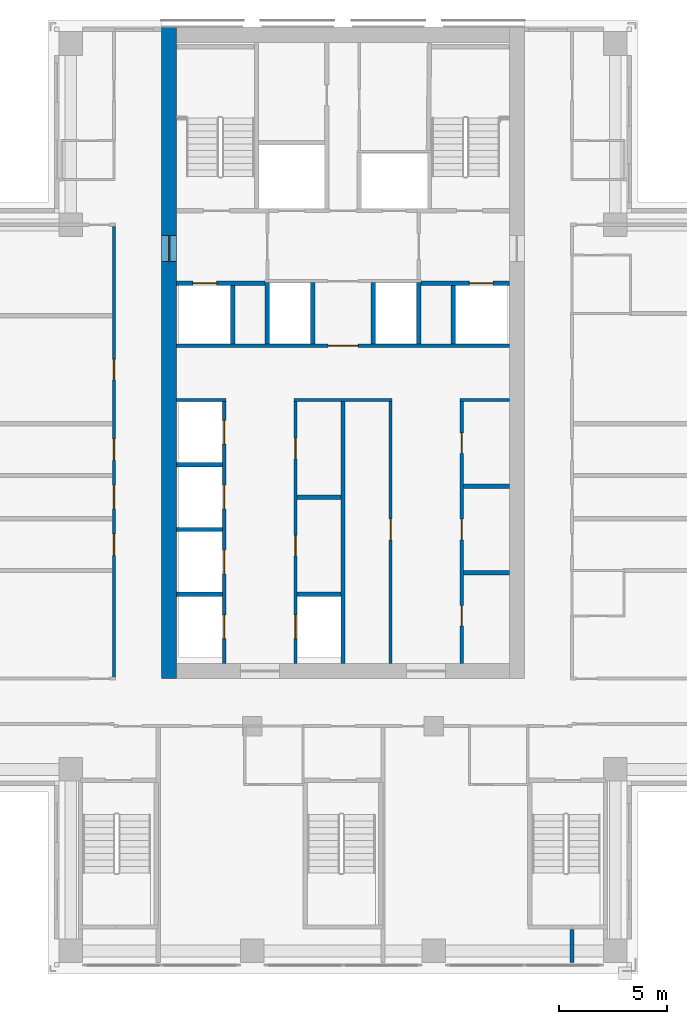
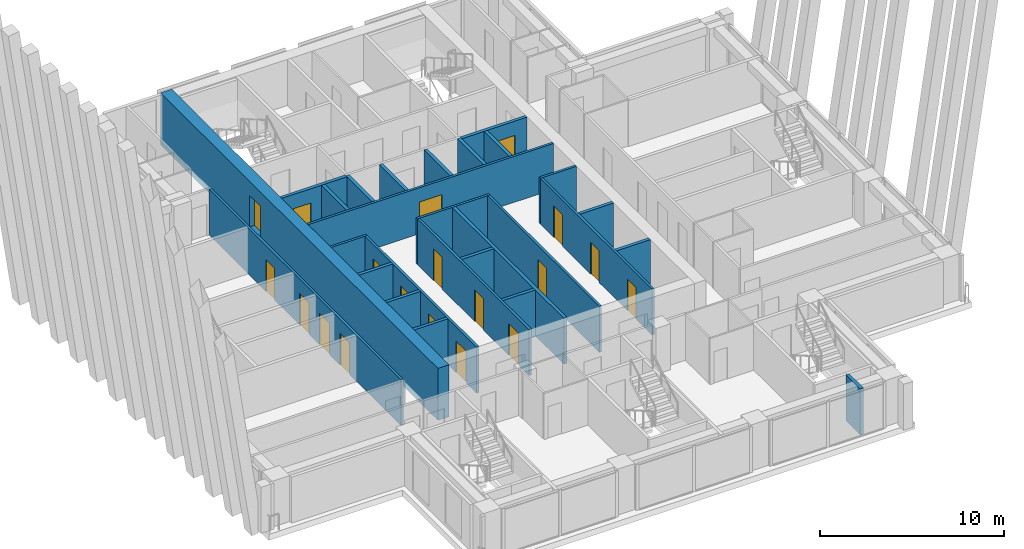
# One storey, part 9 of 15: 27 walls, 19 doors, 19 openings.
"""IFC4 building model written with IfcOpenShell, lengths in metres."""

from ifc_helpers import new_model, si_unit, direction, frame, frame_2d, origin, place, context, subcontext, project, spatial, rectangle, extrude, material, layer, layer_set, type_object, element, fill, save


model = new_model("IFC4")

# Units and contexts
model_context = context("Model", 3, precision=1e-05, world=origin(), true_north=direction((0.0, 1.0)))
body_context = subcontext(model_context, "Body", "Model", "MODEL_VIEW")
ifc_project = project(units=[si_unit("LENGTHUNIT", "METRE"), si_unit("AREAUNIT", "SQUARE_METRE"), si_unit("VOLUMEUNIT", "CUBIC_METRE"), si_unit("PLANEANGLEUNIT", "RADIAN"), si_unit("MASSUNIT", "GRAM", prefix="KILO")], contexts=[model_context])

# Site, building, storey
site_placement = place(None, origin())
site = spatial("IfcSite", under=ifc_project, at=site_placement, CompositionType="ELEMENT")
building_placement = place(site_placement, origin())
building = spatial("IfcBuilding", under=site, at=building_placement, Name="Vermilion Ogive Tower", CompositionType="ELEMENT")
storey_placement = place(building_placement, frame((0.0, 0.0, 153.800048828125)))
storey = spatial("IfcBuildingStorey", under=building, at=storey_placement, Name="L39", CompositionType="ELEMENT", Elevation=153.800048828125)

# Wall, openings, doors
ifc_material_1 = material(Name="Gypsum board partition on steel studs", Category="steel")
ifc_layer_1 = layer(ifc_material_1, 0.14990234375)
ifc_layer_set_1 = layer_set([ifc_layer_1], Name="Partition 150 corridor")
wall_type_1 = type_object("IfcWallType", Name="Partition 150 corridor", PredefinedType="PARTITIONING", material=ifc_layer_set_1)
wall_1_placement = place(storey_placement, frame((-10.60009765625, -8.324951171875, 0.0), z_axis=(0.0, 0.0, 1.0), x_axis=(0.0, 1.0, 0.0)))
wall_1 = element("IfcWall", 1, at=wall_1_placement, inside=storey, type_object=wall_type_1, Name="L39-W-W043", PredefinedType="PARTITIONING", context=body_context, shape_type="SweptSolid", body=[
    extrude(rectangle(XDim=20.849853515625, YDim=0.14990234375, at=frame_2d((10.4248046875, 0.0))), origin(), (0.0, 0.0, 1.0), 3.050048828125),
])
opening_1_placement = place(wall_1_placement, frame((13.744873046875, 0.0, 0.0)))
opening_1 = element("IfcOpeningElement", 2, at=opening_1_placement, cuts=wall_1, Name="Opening D3G3003", PredefinedType="OPENING", context=body_context, shape_type="SweptSolid", body=[
    extrude(rectangle(XDim=0.949951171875, YDim=2.10009765625, at=frame_2d((0.47509765625, 1.050048828125))), frame((0.0, 0.0849609375, 0.0), z_axis=(0.0, -1.0, 0.0), x_axis=(1.0, 0.0, 0.0)), (0.0, 0.0, 1.0), 0.169921875),
])
opening_2_placement = place(wall_1_placement, frame((7.77490234375, 0.0, 0.0)))
opening_2 = element("IfcOpeningElement", 3, at=opening_2_placement, cuts=wall_1, Name="Opening D3G3027", PredefinedType="OPENING", context=body_context, shape_type="SweptSolid", body=[
    extrude(rectangle(XDim=1.10009765625, YDim=2.10009765625, at=frame_2d((0.550048828125, 1.050048828125))), frame((0.0, 0.0849609375, 0.0), z_axis=(0.0, -1.0, 0.0), x_axis=(1.0, 0.0, 0.0)), (0.0, 0.0, 1.0), 0.169921875),
])
opening_3_placement = place(wall_1_placement, frame((5.625, 0.0, 0.0)))
opening_3 = element("IfcOpeningElement", 4, at=opening_3_placement, cuts=wall_1, Name="Opening D3G3029", PredefinedType="OPENING", context=body_context, shape_type="SweptSolid", body=[
    extrude(rectangle(XDim=1.0, YDim=2.10009765625, at=frame_2d((0.5, 1.050048828125))), frame((0.0, 0.0849609375, 0.0), z_axis=(0.0, -1.0, 0.0), x_axis=(1.0, 0.0, 0.0)), (0.0, 0.0, 1.0), 0.169921875),
])
opening_4_placement = place(wall_1_placement, frame((10.02490234375, 0.0, 0.0)))
opening_4 = element("IfcOpeningElement", 5, at=opening_4_placement, cuts=wall_1, Name="Opening D3G3031", PredefinedType="OPENING", context=body_context, shape_type="SweptSolid", body=[
    extrude(rectangle(XDim=1.0, YDim=2.10009765625, at=frame_2d((0.5, 1.050048828125))), frame((0.0, 0.0849609375, 0.0), z_axis=(0.0, -1.0, 0.0), x_axis=(1.0, 0.0, 0.0)), (0.0, 0.0, 1.0), 0.169921875),
])
ifc_material_2 = material(Name="Timber door leaf", Category="wood")
door_type_1 = type_object("IfcDoorType", Name="Stair door 1100 x 2100 FD60S", OperationType="SINGLE_SWING_LEFT", PredefinedType="DOOR", material=ifc_material_2)
door_1_placement = place(opening_2_placement, origin())
door_1 = element("IfcDoor", 6, at=door_1_placement, inside=storey, type_object=door_type_1, Name="L39-D-D027", OperationType="SINGLE_SWING_LEFT", OverallHeight=2.10009765625, OverallWidth=1.10009765625, PredefinedType="DOOR", context=body_context, shape_type="SweptSolid", body=[
    extrude(rectangle(XDim=1.10009765625, YDim=2.10009765625, at=frame_2d((0.550048828125, 1.050048828125))), frame((0.0, 0.02490234375, 0.0), z_axis=(0.0, -1.0, 0.0), x_axis=(1.0, 0.0, 0.0)), (0.0, 0.0, 1.0), 0.050048828125),
])
fill(opening_2, door_1)
ifc_material_3 = material(Name="Timber door leaf", Category="wood")
door_type_2 = type_object("IfcDoorType", Name="Unit door 1000 x 2100 FD30S", OperationType="SINGLE_SWING_LEFT", PredefinedType="DOOR", material=ifc_material_3)
door_2_placement = place(opening_3_placement, origin())
door_2 = element("IfcDoor", 7, at=door_2_placement, inside=storey, type_object=door_type_2, Name="L39-D-D029", OperationType="SINGLE_SWING_RIGHT", OverallHeight=2.10009765625, OverallWidth=1.0, PredefinedType="DOOR", context=body_context, shape_type="SweptSolid", body=[
    extrude(rectangle(XDim=1.0, YDim=2.10009765625, at=frame_2d((0.5, 1.050048828125))), frame((0.0, 0.02490234375, 0.0), z_axis=(0.0, -1.0, 0.0), x_axis=(1.0, 0.0, 0.0)), (0.0, 0.0, 1.0), 0.050048828125),
])
fill(opening_3, door_2)
door_3_placement = place(opening_4_placement, origin())
door_3 = element("IfcDoor", 8, at=door_3_placement, inside=storey, type_object=door_type_2, Name="L39-D-D031", OperationType="SINGLE_SWING_LEFT", OverallHeight=2.10009765625, OverallWidth=1.0, PredefinedType="DOOR", context=body_context, shape_type="SweptSolid", body=[
    extrude(rectangle(XDim=1.0, YDim=2.10009765625, at=frame_2d((0.5, 1.050048828125))), frame((0.0, 0.02490234375, 0.0), z_axis=(0.0, -1.0, 0.0), x_axis=(1.0, 0.0, 0.0)), (0.0, 0.0, 1.0), 0.050048828125),
])
fill(opening_4, door_3)
ifc_material_4 = material(Name="Timber door leaf", Category="wood")
door_type_3 = type_object("IfcDoorType", Name="Unit door 950 x 2100 FD30S", OperationType="SINGLE_SWING_LEFT", PredefinedType="DOOR", material=ifc_material_4)
door_4_placement = place(opening_1_placement, origin())
door_4 = element("IfcDoor", 9, at=door_4_placement, inside=storey, type_object=door_type_3, Name="L39-D-D003", OperationType="SINGLE_SWING_LEFT", OverallHeight=2.10009765625, OverallWidth=0.949951171875, PredefinedType="DOOR", context=body_context, shape_type="SweptSolid", body=[
    extrude(rectangle(XDim=0.949951171875, YDim=2.10009765625, at=frame_2d((0.47509765625, 1.050048828125))), frame((0.0, 0.02490234375, 0.0), z_axis=(0.0, -1.0, 0.0), x_axis=(1.0, 0.0, 0.0)), (0.0, 0.0, 1.0), 0.050048828125),
])
fill(opening_1, door_4)

# Walls
wall_2_placement = place(storey_placement, frame((-7.698974609375, 4.5, 0.0), z_axis=(0.0, 0.0, 1.0), x_axis=(1.0, 0.0, 0.0)))
element("IfcWall", 10, at=wall_2_placement, inside=storey, type_object=wall_type_1, Name="L39-CK-W-W008", PredefinedType="PARTITIONING", context=body_context, shape_type="SweptSolid", body=[
    extrude(rectangle(XDim=2.27392578125, YDim=0.14990234375, at=frame_2d((1.136962890625, 0.0))), origin(), (0.0, 0.0, 1.0), 3.050048828125),
])
wall_3_placement = place(storey_placement, frame((-2.27490234375, 4.5, 0.0), z_axis=(0.0, 0.0, 1.0), x_axis=(1.0, 0.0, 0.0)))
element("IfcWall", 11, at=wall_3_placement, inside=storey, type_object=wall_type_1, Name="L39-CK-W-W009", PredefinedType="PARTITIONING", context=body_context, shape_type="SweptSolid", body=[
    extrude(rectangle(XDim=4.5498046875, YDim=0.14990234375, at=frame_2d((2.27490234375, 0.0))), origin(), (0.0, 0.0, 1.0), 3.050048828125),
])
wall_4_placement = place(storey_placement, frame((5.425048828125, 4.5, 0.0), z_axis=(0.0, 0.0, 1.0), x_axis=(1.0, 0.0, 0.0)))
element("IfcWall", 12, at=wall_4_placement, inside=storey, type_object=wall_type_1, Name="L39-CK-W-W010", PredefinedType="PARTITIONING", context=body_context, shape_type="SweptSolid", body=[
    extrude(rectangle(XDim=2.27392578125, YDim=0.14990234375, at=frame_2d((1.136962890625, 0.0))), origin(), (0.0, 0.0, 1.0), 3.050048828125),
])

# Wall, opening, door
wall_5_placement = place(storey_placement, frame((-7.698974609375, 7.0, 0.0), z_axis=(0.0, 0.0, 1.0), x_axis=(1.0, 0.0, 0.0)))
wall_5 = element("IfcWall", 13, at=wall_5_placement, inside=storey, type_object=wall_type_1, Name="L39-CK-W-W011", PredefinedType="PARTITIONING", context=body_context, shape_type="SweptSolid", body=[
    extrude(rectangle(XDim=15.39794921875, YDim=0.14990234375, at=frame_2d((7.698974609375, 0.0))), origin(), (0.0, 0.0, 1.0), 3.050048828125),
])
opening_5_placement = place(wall_5_placement, frame((6.9990234375, 0.0, 0.0)))
opening_5 = element("IfcOpeningElement", 14, at=opening_5_placement, cuts=wall_5, Name="Opening DAA325", PredefinedType="OPENING", context=body_context, shape_type="SweptSolid", body=[
    extrude(rectangle(XDim=1.39990234375, YDim=2.10009765625, at=frame_2d((0.699951171875, 1.050048828125))), frame((0.0, 0.0849609375, 0.0), z_axis=(0.0, -1.0, 0.0), x_axis=(1.0, 0.0, 0.0)), (0.0, 0.0, 1.0), 0.169921875),
])
ifc_material_5 = material(Name="Timber door leaf", Category="wood")
door_type_4 = type_object("IfcDoorType", Name="Lobby door 1400 x 2100 FD60S", OperationType="SINGLE_SWING_LEFT", PredefinedType="DOOR", material=ifc_material_5)
door_5_placement = place(opening_5_placement, origin())
door_5 = element("IfcDoor", 15, at=door_5_placement, inside=storey, type_object=door_type_4, Name="L39-CK-D-D016", OperationType="SINGLE_SWING_RIGHT", OverallHeight=2.10009765625, OverallWidth=1.39990234375, PredefinedType="DOOR", context=body_context, shape_type="SweptSolid", body=[
    extrude(rectangle(XDim=1.39990234375, YDim=2.10009765625, at=frame_2d((0.699951171875, 1.050048828125))), frame((0.0, 0.02490234375, 0.0), z_axis=(0.0, -1.0, 0.0), x_axis=(1.0, 0.0, 0.0)), (0.0, 0.0, 1.0), 0.050048828125),
])
fill(opening_5, door_5)

# Wall, openings, doors
wall_6_placement = place(storey_placement, frame((-5.5, -7.698974609375, 0.0), z_axis=(0.0, 0.0, 1.0), x_axis=(0.0, 1.0, 0.0)))
wall_6 = element("IfcWall", 16, at=wall_6_placement, inside=storey, type_object=wall_type_1, Name="L39-CK-W-W020", PredefinedType="PARTITIONING", context=body_context, shape_type="SweptSolid", body=[
    extrude(rectangle(XDim=12.1240234375, YDim=0.14990234375, at=frame_2d((6.06201171875, 0.0))), origin(), (0.0, 0.0, 1.0), 3.050048828125),
])
opening_6_placement = place(wall_6_placement, frame((1.14892578125, 0.0, 0.0)))
opening_6 = element("IfcOpeningElement", 17, at=opening_6_placement, cuts=wall_6, Name="Opening DAA338", PredefinedType="OPENING", context=body_context, shape_type="SweptSolid", body=[
    extrude(rectangle(XDim=1.10009765625, YDim=2.10009765625, at=frame_2d((0.550048828125, 1.050048828125))), frame((0.0, 0.0849609375, 0.0), z_axis=(0.0, -1.0, 0.0), x_axis=(1.0, 0.0, 0.0)), (0.0, 0.0, 1.0), 0.169921875),
])
opening_7_placement = place(wall_6_placement, frame((4.14892578125, 0.0, 0.0)))
opening_7 = element("IfcOpeningElement", 18, at=opening_7_placement, cuts=wall_6, Name="Opening DAA339", PredefinedType="OPENING", context=body_context, shape_type="SweptSolid", body=[
    extrude(rectangle(XDim=1.10009765625, YDim=2.10009765625, at=frame_2d((0.550048828125, 1.050048828125))), frame((0.0, 0.0849609375, 0.0), z_axis=(0.0, -1.0, 0.0), x_axis=(1.0, 0.0, 0.0)), (0.0, 0.0, 1.0), 0.169921875),
])
opening_8_placement = place(wall_6_placement, frame((7.14892578125, 0.0, 0.0)))
opening_8 = element("IfcOpeningElement", 19, at=opening_8_placement, cuts=wall_6, Name="Opening DAA340", PredefinedType="OPENING", context=body_context, shape_type="SweptSolid", body=[
    extrude(rectangle(XDim=1.10009765625, YDim=2.10009765625, at=frame_2d((0.550048828125, 1.050048828125))), frame((0.0, 0.0849609375, 0.0), z_axis=(0.0, -1.0, 0.0), x_axis=(1.0, 0.0, 0.0)), (0.0, 0.0, 1.0), 0.169921875),
])
opening_9_placement = place(wall_6_placement, frame((10.14892578125, 0.0, 0.0)))
opening_9 = element("IfcOpeningElement", 20, at=opening_9_placement, cuts=wall_6, Name="Opening DAA341", PredefinedType="OPENING", context=body_context, shape_type="SweptSolid", body=[
    extrude(rectangle(XDim=1.10009765625, YDim=2.10009765625, at=frame_2d((0.550048828125, 1.050048828125))), frame((0.0, 0.0849609375, 0.0), z_axis=(0.0, -1.0, 0.0), x_axis=(1.0, 0.0, 0.0)), (0.0, 0.0, 1.0), 0.169921875),
])
ifc_material_6 = material(Name="Stainless steel", Category="steel")
door_type_5 = type_object("IfcDoorType", Name="Lift landing door 1100 x 2100", OperationType="SLIDING_TO_LEFT", PredefinedType="DOOR", material=ifc_material_6)
door_6_placement = place(opening_6_placement, origin())
door_6 = element("IfcDoor", 21, at=door_6_placement, inside=storey, type_object=door_type_5, Name="L39-CK-D-D001", OperationType="SLIDING_TO_LEFT", OverallHeight=2.10009765625, OverallWidth=1.10009765625, PredefinedType="DOOR", context=body_context, shape_type="SweptSolid", body=[
    extrude(rectangle(XDim=1.10009765625, YDim=2.10009765625, at=frame_2d((0.550048828125, 1.050048828125))), frame((0.0, 0.02490234375, 0.0), z_axis=(0.0, -1.0, 0.0), x_axis=(1.0, 0.0, 0.0)), (0.0, 0.0, 1.0), 0.050048828125),
])
fill(opening_6, door_6)
door_7_placement = place(opening_7_placement, origin())
door_7 = element("IfcDoor", 22, at=door_7_placement, inside=storey, type_object=door_type_5, Name="L39-CK-D-D002", OperationType="SLIDING_TO_LEFT", OverallHeight=2.10009765625, OverallWidth=1.10009765625, PredefinedType="DOOR", context=body_context, shape_type="SweptSolid", body=[
    extrude(rectangle(XDim=1.10009765625, YDim=2.10009765625, at=frame_2d((0.550048828125, 1.050048828125))), frame((0.0, 0.02490234375, 0.0), z_axis=(0.0, -1.0, 0.0), x_axis=(1.0, 0.0, 0.0)), (0.0, 0.0, 1.0), 0.050048828125),
])
fill(opening_7, door_7)
door_8_placement = place(opening_8_placement, origin())
door_8 = element("IfcDoor", 23, at=door_8_placement, inside=storey, type_object=door_type_5, Name="L39-CK-D-D003", OperationType="SLIDING_TO_LEFT", OverallHeight=2.10009765625, OverallWidth=1.10009765625, PredefinedType="DOOR", context=body_context, shape_type="SweptSolid", body=[
    extrude(rectangle(XDim=1.10009765625, YDim=2.10009765625, at=frame_2d((0.550048828125, 1.050048828125))), frame((0.0, 0.02490234375, 0.0), z_axis=(0.0, -1.0, 0.0), x_axis=(1.0, 0.0, 0.0)), (0.0, 0.0, 1.0), 0.050048828125),
])
fill(opening_8, door_8)
door_9_placement = place(opening_9_placement, origin())
door_9 = element("IfcDoor", 24, at=door_9_placement, inside=storey, type_object=door_type_5, Name="L39-CK-D-D004", OperationType="SLIDING_TO_LEFT", OverallHeight=2.10009765625, OverallWidth=1.10009765625, PredefinedType="DOOR", context=body_context, shape_type="SweptSolid", body=[
    extrude(rectangle(XDim=1.10009765625, YDim=2.10009765625, at=frame_2d((0.550048828125, 1.050048828125))), frame((0.0, 0.02490234375, 0.0), z_axis=(0.0, -1.0, 0.0), x_axis=(1.0, 0.0, 0.0)), (0.0, 0.0, 1.0), 0.050048828125),
])
fill(opening_9, door_9)

wall_7_placement = place(storey_placement, frame((-2.199951171875, -7.698974609375, 0.0), z_axis=(0.0, 0.0, 1.0), x_axis=(0.0, 1.0, 0.0)))
wall_7 = element("IfcWall", 25, at=wall_7_placement, inside=storey, type_object=wall_type_1, Name="L39-CK-W-W025", PredefinedType="PARTITIONING", context=body_context, shape_type="SweptSolid", body=[
    extrude(rectangle(XDim=12.1240234375, YDim=0.14990234375, at=frame_2d((6.06201171875, 0.0))), origin(), (0.0, 0.0, 1.0), 3.050048828125),
])
opening_10_placement = place(wall_7_placement, frame((1.14892578125, 0.0, 0.0)))
opening_10 = element("IfcOpeningElement", 26, at=opening_10_placement, cuts=wall_7, Name="Opening DAA342", PredefinedType="OPENING", context=body_context, shape_type="SweptSolid", body=[
    extrude(rectangle(XDim=1.10009765625, YDim=2.10009765625, at=frame_2d((0.550048828125, 1.050048828125))), frame((0.0, 0.0849609375, 0.0), z_axis=(0.0, -1.0, 0.0), x_axis=(1.0, 0.0, 0.0)), (0.0, 0.0, 1.0), 0.169921875),
])
opening_11_placement = place(wall_7_placement, frame((4.973876953125, 0.0, 0.0)))
opening_11 = element("IfcOpeningElement", 27, at=opening_11_placement, cuts=wall_7, Name="Opening DAA328", PredefinedType="OPENING", context=body_context, shape_type="SweptSolid", body=[
    extrude(rectangle(XDim=0.949951171875, YDim=2.10009765625, at=frame_2d((0.47509765625, 1.050048828125))), frame((0.0, 0.0849609375, 0.0), z_axis=(0.0, -1.0, 0.0), x_axis=(1.0, 0.0, 0.0)), (0.0, 0.0, 1.0), 0.169921875),
])
opening_12_placement = place(wall_7_placement, frame((9.473876953125, 0.0, 0.0)))
opening_12 = element("IfcOpeningElement", 28, at=opening_12_placement, cuts=wall_7, Name="Opening DAA329", PredefinedType="OPENING", context=body_context, shape_type="SweptSolid", body=[
    extrude(rectangle(XDim=0.949951171875, YDim=2.10009765625, at=frame_2d((0.47509765625, 1.050048828125))), frame((0.0, 0.0849609375, 0.0), z_axis=(0.0, -1.0, 0.0), x_axis=(1.0, 0.0, 0.0)), (0.0, 0.0, 1.0), 0.169921875),
])
door_10_placement = place(opening_10_placement, origin())
door_10 = element("IfcDoor", 29, at=door_10_placement, inside=storey, type_object=door_type_5, Name="L39-CK-D-D005", OperationType="SLIDING_TO_LEFT", OverallHeight=2.10009765625, OverallWidth=1.10009765625, PredefinedType="DOOR", context=body_context, shape_type="SweptSolid", body=[
    extrude(rectangle(XDim=1.10009765625, YDim=2.10009765625, at=frame_2d((0.550048828125, 1.050048828125))), frame((0.0, 0.02490234375, 0.0), z_axis=(0.0, -1.0, 0.0), x_axis=(1.0, 0.0, 0.0)), (0.0, 0.0, 1.0), 0.050048828125),
])
fill(opening_10, door_10)
ifc_material_7 = material(Name="Timber door leaf", Category="wood")
door_type_6 = type_object("IfcDoorType", Name="Service door 950 x 2100 FD60", OperationType="SINGLE_SWING_LEFT", PredefinedType="DOOR", material=ifc_material_7)
door_11_placement = place(opening_11_placement, origin())
door_11 = element("IfcDoor", 30, at=door_11_placement, inside=storey, type_object=door_type_6, Name="L39-CK-D-D006", OperationType="SINGLE_SWING_LEFT", OverallHeight=2.10009765625, OverallWidth=0.949951171875, PredefinedType="DOOR", context=body_context, shape_type="SweptSolid", body=[
    extrude(rectangle(XDim=0.949951171875, YDim=2.10009765625, at=frame_2d((0.47509765625, 1.050048828125))), frame((0.0, 0.02490234375, 0.0), z_axis=(0.0, -1.0, 0.0), x_axis=(1.0, 0.0, 0.0)), (0.0, 0.0, 1.0), 0.050048828125),
])
fill(opening_11, door_11)
door_12_placement = place(opening_12_placement, origin())
door_12 = element("IfcDoor", 31, at=door_12_placement, inside=storey, type_object=door_type_6, Name="L39-CK-D-D007", OperationType="SINGLE_SWING_RIGHT", OverallHeight=2.10009765625, OverallWidth=0.949951171875, PredefinedType="DOOR", context=body_context, shape_type="SweptSolid", body=[
    extrude(rectangle(XDim=0.949951171875, YDim=2.10009765625, at=frame_2d((0.47509765625, 1.050048828125))), frame((0.0, 0.02490234375, 0.0), z_axis=(0.0, -1.0, 0.0), x_axis=(1.0, 0.0, 0.0)), (0.0, 0.0, 1.0), 0.050048828125),
])
fill(opening_12, door_12)

# Wall, opening, door
wall_8_placement = place(storey_placement, frame((2.199951171875, -7.698974609375, 0.0), z_axis=(0.0, 0.0, 1.0), x_axis=(0.0, 1.0, 0.0)))
wall_8 = element("IfcWall", 32, at=wall_8_placement, inside=storey, type_object=wall_type_1, Name="L39-CK-W-W032", PredefinedType="PARTITIONING", context=body_context, shape_type="SweptSolid", body=[
    extrude(rectangle(XDim=12.1240234375, YDim=0.14990234375, at=frame_2d((6.06201171875, 0.0))), origin(), (0.0, 0.0, 1.0), 3.050048828125),
])
opening_13_placement = place(wall_8_placement, frame((5.723876953125, 0.0, 0.0)))
opening_13 = element("IfcOpeningElement", 33, at=opening_13_placement, cuts=wall_8, Name="Opening DAA330", PredefinedType="OPENING", context=body_context, shape_type="SweptSolid", body=[
    extrude(rectangle(XDim=0.949951171875, YDim=2.10009765625, at=frame_2d((0.47509765625, 1.050048828125))), frame((0.0, 0.0849609375, 0.0), z_axis=(0.0, -1.0, 0.0), x_axis=(1.0, 0.0, 0.0)), (0.0, 0.0, 1.0), 0.169921875),
])
door_13_placement = place(opening_13_placement, origin())
door_13 = element("IfcDoor", 34, at=door_13_placement, inside=storey, type_object=door_type_6, Name="L39-CK-D-D008", OperationType="SINGLE_SWING_RIGHT", OverallHeight=2.10009765625, OverallWidth=0.949951171875, PredefinedType="DOOR", context=body_context, shape_type="SweptSolid", body=[
    extrude(rectangle(XDim=0.949951171875, YDim=2.10009765625, at=frame_2d((0.47509765625, 1.050048828125))), frame((0.0, 0.02490234375, 0.0), z_axis=(0.0, -1.0, 0.0), x_axis=(1.0, 0.0, 0.0)), (0.0, 0.0, 1.0), 0.050048828125),
])
fill(opening_13, door_13)

# Wall, openings, doors
wall_9_placement = place(storey_placement, frame((5.5, -7.698974609375, 0.0), z_axis=(0.0, 0.0, 1.0), x_axis=(0.0, 1.0, 0.0)))
wall_9 = element("IfcWall", 35, at=wall_9_placement, inside=storey, type_object=wall_type_1, Name="L39-CK-W-W038", PredefinedType="PARTITIONING", context=body_context, shape_type="SweptSolid", body=[
    extrude(rectangle(XDim=12.1240234375, YDim=0.14990234375, at=frame_2d((6.06201171875, 0.0))), origin(), (0.0, 0.0, 1.0), 3.050048828125),
])
opening_14_placement = place(wall_9_placement, frame((1.723876953125, 0.0, 0.0)))
opening_14 = element("IfcOpeningElement", 36, at=opening_14_placement, cuts=wall_9, Name="Opening DAA331", PredefinedType="OPENING", context=body_context, shape_type="SweptSolid", body=[
    extrude(rectangle(XDim=0.949951171875, YDim=2.10009765625, at=frame_2d((0.47509765625, 1.050048828125))), frame((0.0, 0.0849609375, 0.0), z_axis=(0.0, -1.0, 0.0), x_axis=(1.0, 0.0, 0.0)), (0.0, 0.0, 1.0), 0.169921875),
])
opening_15_placement = place(wall_9_placement, frame((5.723876953125, 0.0, 0.0)))
opening_15 = element("IfcOpeningElement", 37, at=opening_15_placement, cuts=wall_9, Name="Opening DAA332", PredefinedType="OPENING", context=body_context, shape_type="SweptSolid", body=[
    extrude(rectangle(XDim=0.949951171875, YDim=2.10009765625, at=frame_2d((0.47509765625, 1.050048828125))), frame((0.0, 0.0849609375, 0.0), z_axis=(0.0, -1.0, 0.0), x_axis=(1.0, 0.0, 0.0)), (0.0, 0.0, 1.0), 0.169921875),
])
opening_16_placement = place(wall_9_placement, frame((9.723876953125, 0.0, 0.0)))
opening_16 = element("IfcOpeningElement", 38, at=opening_16_placement, cuts=wall_9, Name="Opening DAA333", PredefinedType="OPENING", context=body_context, shape_type="SweptSolid", body=[
    extrude(rectangle(XDim=0.949951171875, YDim=2.10009765625, at=frame_2d((0.47509765625, 1.050048828125))), frame((0.0, 0.0849609375, 0.0), z_axis=(0.0, -1.0, 0.0), x_axis=(1.0, 0.0, 0.0)), (0.0, 0.0, 1.0), 0.169921875),
])
door_14_placement = place(opening_14_placement, origin())
door_14 = element("IfcDoor", 39, at=door_14_placement, inside=storey, type_object=door_type_6, Name="L39-CK-D-D009", OperationType="SINGLE_SWING_LEFT", OverallHeight=2.10009765625, OverallWidth=0.949951171875, PredefinedType="DOOR", context=body_context, shape_type="SweptSolid", body=[
    extrude(rectangle(XDim=0.949951171875, YDim=2.10009765625, at=frame_2d((0.47509765625, 1.050048828125))), frame((0.0, 0.02490234375, 0.0), z_axis=(0.0, -1.0, 0.0), x_axis=(1.0, 0.0, 0.0)), (0.0, 0.0, 1.0), 0.050048828125),
])
fill(opening_14, door_14)
door_15_placement = place(opening_15_placement, origin())
door_15 = element("IfcDoor", 40, at=door_15_placement, inside=storey, type_object=door_type_6, Name="L39-CK-D-D010", OperationType="SINGLE_SWING_LEFT", OverallHeight=2.10009765625, OverallWidth=0.949951171875, PredefinedType="DOOR", context=body_context, shape_type="SweptSolid", body=[
    extrude(rectangle(XDim=0.949951171875, YDim=2.10009765625, at=frame_2d((0.47509765625, 1.050048828125))), frame((0.0, 0.02490234375, 0.0), z_axis=(0.0, -1.0, 0.0), x_axis=(1.0, 0.0, 0.0)), (0.0, 0.0, 1.0), 0.050048828125),
])
fill(opening_15, door_15)
door_16_placement = place(opening_16_placement, origin())
door_16 = element("IfcDoor", 41, at=door_16_placement, inside=storey, type_object=door_type_6, Name="L39-CK-D-D011", OperationType="SINGLE_SWING_RIGHT", OverallHeight=2.10009765625, OverallWidth=0.949951171875, PredefinedType="DOOR", context=body_context, shape_type="SweptSolid", body=[
    extrude(rectangle(XDim=0.949951171875, YDim=2.10009765625, at=frame_2d((0.47509765625, 1.050048828125))), frame((0.0, 0.02490234375, 0.0), z_axis=(0.0, -1.0, 0.0), x_axis=(1.0, 0.0, 0.0)), (0.0, 0.0, 1.0), 0.050048828125),
])
fill(opening_16, door_16)

# Walls
ifc_material_8 = material(Name="Gypsum board partition on steel studs", Category="steel")
ifc_layer_2 = layer(ifc_material_8, 0.199951171875)
ifc_layer_set_2 = layer_set([ifc_layer_2], Name="Partition 200 party")
wall_type_2 = type_object("IfcWallType", Name="Partition 200 party", PredefinedType="PARTITIONING", material=ifc_layer_set_2)
wall_10_placement = place(storey_placement, frame((10.60009765625, -21.550048828125, 0.0), z_axis=(0.0, 0.0, 1.0), x_axis=(0.0, 1.0, 0.0)))
element("IfcWall", 42, at=wall_10_placement, inside=storey, type_object=wall_type_2, Name="L39-W-W056", PredefinedType="PARTITIONING", context=body_context, shape_type="SweptSolid", body=[
    extrude(rectangle(XDim=1.548095703125, YDim=0.199951171875, at=frame_2d((0.77392578125, 0.0))), origin(), (0.0, 0.0, 1.0), 3.050048828125),
])
wall_11_placement = place(storey_placement, frame((-7.698974609375, -4.5, 0.0), z_axis=(0.0, 0.0, 1.0), x_axis=(1.0, 0.0, 0.0)))
element("IfcWall", 43, at=wall_11_placement, inside=storey, type_object=wall_type_2, Name="L39-CK-W-W001", PredefinedType="PARTITIONING", context=body_context, shape_type="SweptSolid", body=[
    extrude(rectangle(XDim=2.1240234375, YDim=0.199951171875, at=frame_2d((1.06201171875, 0.0))), origin(), (0.0, 0.0, 1.0), 3.050048828125),
])
wall_12_placement = place(storey_placement, frame((-2.125, -4.5, 0.0), z_axis=(0.0, 0.0, 1.0), x_axis=(1.0, 0.0, 0.0)))
element("IfcWall", 44, at=wall_12_placement, inside=storey, type_object=wall_type_2, Name="L39-CK-W-W002", PredefinedType="PARTITIONING", context=body_context, shape_type="SweptSolid", body=[
    extrude(rectangle(XDim=2.02490234375, YDim=0.199951171875, at=frame_2d((1.012451171875, 0.0))), origin(), (0.0, 0.0, 1.0), 3.050048828125),
])
for number, where, z_axis, x_axis, name in (
    (45, (5.574951171875, -3.5, 0.0), (0.0, 0.0, 1.0), (1.0, 0.0, 0.0), "L39-CK-W-W003"),
    (46, (-7.698974609375, -1.5, 0.0), (0.0, 0.0, 1.0), (1.0, 0.0, 0.0), "L39-CK-W-W004"),
):
    element("IfcWall", number, at=place(storey_placement, frame(where, z_axis=z_axis, x_axis=x_axis)), inside=storey, type_object=wall_type_2, Name=name, PredefinedType="PARTITIONING", context=body_context, shape_type="SweptSolid", body=[
        extrude(rectangle(XDim=2.1240234375, YDim=0.199951171875, at=frame_2d((1.06201171875, 0.0))), origin(), (0.0, 0.0, 1.0), 3.050048828125),
    ])
wall_13_placement = place(storey_placement, frame((-2.125, 0.0, 0.0), z_axis=(0.0, 0.0, 1.0), x_axis=(1.0, 0.0, 0.0)))
element("IfcWall", 47, at=wall_13_placement, inside=storey, type_object=wall_type_2, Name="L39-CK-W-W005", PredefinedType="PARTITIONING", context=body_context, shape_type="SweptSolid", body=[
    extrude(rectangle(XDim=2.02490234375, YDim=0.199951171875, at=frame_2d((1.012451171875, 0.0))), origin(), (0.0, 0.0, 1.0), 3.050048828125),
])
for number, where, z_axis, x_axis, name in (
    (48, (5.574951171875, 0.5, 0.0), (0.0, 0.0, 1.0), (1.0, 0.0, 0.0), "L39-CK-W-W006"),
    (49, (-7.698974609375, 1.5, 0.0), (0.0, 0.0, 1.0), (1.0, 0.0, 0.0), "L39-CK-W-W007"),
):
    element("IfcWall", number, at=place(storey_placement, frame(where, z_axis=z_axis, x_axis=x_axis)), inside=storey, type_object=wall_type_2, Name=name, PredefinedType="PARTITIONING", context=body_context, shape_type="SweptSolid", body=[
        extrude(rectangle(XDim=2.1240234375, YDim=0.199951171875, at=frame_2d((1.06201171875, 0.0))), origin(), (0.0, 0.0, 1.0), 3.050048828125),
    ])

# Wall, opening, door
wall_14_placement = place(storey_placement, frame((-7.698974609375, 9.89990234375, 0.0), z_axis=(0.0, 0.0, 1.0), x_axis=(1.0, 0.0, 0.0)))
wall_14 = element("IfcWall", 50, at=wall_14_placement, inside=storey, type_object=wall_type_2, Name="L39-CK-W-W012", PredefinedType="PARTITIONING", context=body_context, shape_type="SweptSolid", body=[
    extrude(rectangle(XDim=4.098876953125, YDim=0.199951171875, at=frame_2d((2.04931640625, 0.0))), origin(), (0.0, 0.0, 1.0), 3.050048828125),
])
opening_17_placement = place(wall_14_placement, frame((0.7490234375, 0.0, 0.0)))
opening_17 = element("IfcOpeningElement", 51, at=opening_17_placement, cuts=wall_14, Name="Opening DAA343", PredefinedType="OPENING", context=body_context, shape_type="SweptSolid", body=[
    extrude(rectangle(XDim=1.10009765625, YDim=2.10009765625, at=frame_2d((0.550048828125, 1.050048828125))), frame((0.0, 0.10986328125, 0.0), z_axis=(0.0, -1.0, 0.0), x_axis=(1.0, 0.0, 0.0)), (0.0, 0.0, 1.0), 0.219970703125),
])
door_17_placement = place(opening_17_placement, origin())
door_17 = element("IfcDoor", 52, at=door_17_placement, inside=storey, type_object=door_type_5, Name="L39-CK-D-D013", OperationType="SLIDING_TO_RIGHT", OverallHeight=2.10009765625, OverallWidth=1.10009765625, PredefinedType="DOOR", context=body_context, shape_type="SweptSolid", body=[
    extrude(rectangle(XDim=1.10009765625, YDim=2.10009765625, at=frame_2d((0.550048828125, 1.050048828125))), frame((0.0, 0.02490234375, 0.0), z_axis=(0.0, -1.0, 0.0), x_axis=(1.0, 0.0, 0.0)), (0.0, 0.0, 1.0), 0.050048828125),
])
fill(opening_17, door_17)

wall_15_placement = place(storey_placement, frame((3.60009765625, 9.89990234375, 0.0), z_axis=(0.0, 0.0, 1.0), x_axis=(1.0, 0.0, 0.0)))
wall_15 = element("IfcWall", 53, at=wall_15_placement, inside=storey, type_object=wall_type_2, Name="L39-CK-W-W013", PredefinedType="PARTITIONING", context=body_context, shape_type="SweptSolid", body=[
    extrude(rectangle(XDim=4.098876953125, YDim=0.199951171875, at=frame_2d((2.04931640625, 0.0))), origin(), (0.0, 0.0, 1.0), 3.050048828125),
])
opening_18_placement = place(wall_15_placement, frame((2.25, 0.0, 0.0)))
opening_18 = element("IfcOpeningElement", 54, at=opening_18_placement, cuts=wall_15, Name="Opening DAA344", PredefinedType="OPENING", context=body_context, shape_type="SweptSolid", body=[
    extrude(rectangle(XDim=1.10009765625, YDim=2.10009765625, at=frame_2d((0.550048828125, 1.050048828125))), frame((0.0, 0.10986328125, 0.0), z_axis=(0.0, -1.0, 0.0), x_axis=(1.0, 0.0, 0.0)), (0.0, 0.0, 1.0), 0.219970703125),
])
door_18_placement = place(opening_18_placement, origin())
door_18 = element("IfcDoor", 55, at=door_18_placement, inside=storey, type_object=door_type_5, Name="L39-CK-D-D015", OperationType="SLIDING_TO_LEFT", OverallHeight=2.10009765625, OverallWidth=1.10009765625, PredefinedType="DOOR", context=body_context, shape_type="SweptSolid", body=[
    extrude(rectangle(XDim=1.10009765625, YDim=2.10009765625, at=frame_2d((0.550048828125, 1.050048828125))), frame((0.0, 0.02490234375, 0.0), z_axis=(0.0, -1.0, 0.0), x_axis=(1.0, 0.0, 0.0)), (0.0, 0.0, 1.0), 0.050048828125),
])
fill(opening_18, door_18)

# Walls
wall_16_placement = place(storey_placement, frame((-5.10009765625, 7.074951171875, 0.0), z_axis=(0.0, 0.0, 1.0), x_axis=(0.0, 1.0, 0.0)))
element("IfcWall", 56, at=wall_16_placement, inside=storey, type_object=wall_type_2, Name="L39-CK-W-W021", PredefinedType="PARTITIONING", context=body_context, shape_type="SweptSolid", body=[
    extrude(rectangle(XDim=2.72509765625, YDim=0.199951171875, at=frame_2d((1.362548828125, 0.0))), origin(), (0.0, 0.0, 1.0), 3.050048828125),
])
for number, where, z_axis, x_axis, name in (
    (57, (-3.5, 7.074951171875, 0.0), (0.0, 0.0, 1.0), (0.0, 1.0, 0.0), "L39-CK-W-W023"),
    (58, (-1.39990234375, 7.074951171875, 0.0), (0.0, 0.0, 1.0), (0.0, 1.0, 0.0), "L39-CK-W-W026"),
):
    element("IfcWall", number, at=place(storey_placement, frame(where, z_axis=z_axis, x_axis=x_axis)), inside=storey, type_object=wall_type_2, Name=name, PredefinedType="PARTITIONING", context=body_context, shape_type="SweptSolid", body=[
        extrude(rectangle(XDim=2.85009765625, YDim=0.199951171875, at=frame_2d((1.425048828125, 0.0))), origin(), (0.0, 0.0, 1.0), 3.050048828125),
    ])
wall_17_placement = place(storey_placement, frame((0.0, -7.698974609375, 0.0), z_axis=(0.0, 0.0, 1.0), x_axis=(0.0, 1.0, 0.0)))
element("IfcWall", 59, at=wall_17_placement, inside=storey, type_object=wall_type_2, Name="L39-CK-W-W028", PredefinedType="PARTITIONING", context=body_context, shape_type="SweptSolid", body=[
    extrude(rectangle(XDim=12.1240234375, YDim=0.199951171875, at=frame_2d((6.06201171875, 0.0))), origin(), (0.0, 0.0, 1.0), 3.050048828125),
])
for number, where, z_axis, x_axis, name in (
    (60, (1.39990234375, 7.074951171875, 0.0), (0.0, 0.0, 1.0), (0.0, 1.0, 0.0), "L39-CK-W-W031"),
    (61, (3.5, 7.074951171875, 0.0), (0.0, 0.0, 1.0), (0.0, 1.0, 0.0), "L39-CK-W-W033"),
):
    element("IfcWall", number, at=place(storey_placement, frame(where, z_axis=z_axis, x_axis=x_axis)), inside=storey, type_object=wall_type_2, Name=name, PredefinedType="PARTITIONING", context=body_context, shape_type="SweptSolid", body=[
        extrude(rectangle(XDim=2.85009765625, YDim=0.199951171875, at=frame_2d((1.425048828125, 0.0))), origin(), (0.0, 0.0, 1.0), 3.050048828125),
    ])
wall_18_placement = place(storey_placement, frame((5.10009765625, 7.074951171875, 0.0), z_axis=(0.0, 0.0, 1.0), x_axis=(0.0, 1.0, 0.0)))
element("IfcWall", 62, at=wall_18_placement, inside=storey, type_object=wall_type_2, Name="L39-CK-W-W037", PredefinedType="PARTITIONING", context=body_context, shape_type="SweptSolid", body=[
    extrude(rectangle(XDim=2.72509765625, YDim=0.199951171875, at=frame_2d((1.362548828125, 0.0))), origin(), (0.0, 0.0, 1.0), 3.050048828125),
])

# Wall, opening, door
ifc_material_9 = material(Name="Concrete B60", Category="concrete")
ifc_layer_3 = layer(ifc_material_9, 0.199951171875)
ifc_layer_set_3 = layer_set([ifc_layer_3], Name="Stair shaft wall 200 Concrete B60")
wall_type_3 = type_object("IfcWallType", Name="Stair shaft wall 200 Concrete B60", PredefinedType="SOLIDWALL", material=ifc_layer_set_3)
wall_19_placement = place(storey_placement, frame((-8.050048828125, -8.39990234375, -0.400146484375), z_axis=(0.0, 0.0, 1.0), x_axis=(0.0, 1.0, 0.0)))
wall_19 = element("IfcWall", 63, at=wall_19_placement, inside=storey, type_object=wall_type_3, Name="L39-CORE-W", PredefinedType="SOLIDWALL", context=body_context, shape_type="SweptSolid", body=[
    extrude(rectangle(XDim=30.14990234375, YDim=0.699951171875, at=frame_2d((15.074951171875, 0.0))), origin(), (0.0, 0.0, 1.0), 3.4501953125),
])
opening_19_placement = place(wall_19_placement, frame((19.300048828125, 0.0, 0.39990234375)))
opening_19 = element("IfcOpeningElement", 64, at=opening_19_placement, cuts=wall_19, Name="Opening DAM015", PredefinedType="OPENING", context=body_context, shape_type="SweptSolid", body=[
    extrude(rectangle(XDim=1.199951171875, YDim=2.10009765625, at=frame_2d((0.60009765625, 1.050048828125))), frame((0.0, 0.35986328125, 0.0), z_axis=(0.0, -1.0, 0.0), x_axis=(1.0, 0.0, 0.0)), (0.0, 0.0, 1.0), 0.719970703125),
])
ifc_material_10 = material(Name="Timber door leaf", Category="wood")
door_type_7 = type_object("IfcDoorType", Name="Link door 1200 x 2100 FD60S", OperationType="SINGLE_SWING_LEFT", PredefinedType="DOOR", material=ifc_material_10)
door_19_placement = place(opening_19_placement, origin())
door_19 = element("IfcDoor", 65, at=door_19_placement, inside=storey, type_object=door_type_7, Name="L39-CK-XD3", OperationType="SINGLE_SWING_LEFT", OverallHeight=2.10009765625, OverallWidth=1.199951171875, PredefinedType="DOOR", context=body_context, shape_type="SweptSolid", body=[
    extrude(rectangle(XDim=1.199951171875, YDim=2.10009765625, at=frame_2d((0.60009765625, 1.050048828125))), frame((0.0, 0.02490234375, 0.0), z_axis=(0.0, -1.0, 0.0), x_axis=(1.0, 0.0, 0.0)), (0.0, 0.0, 1.0), 0.050048828125),
])
fill(opening_19, door_19)

save(model, "model.ifc")
